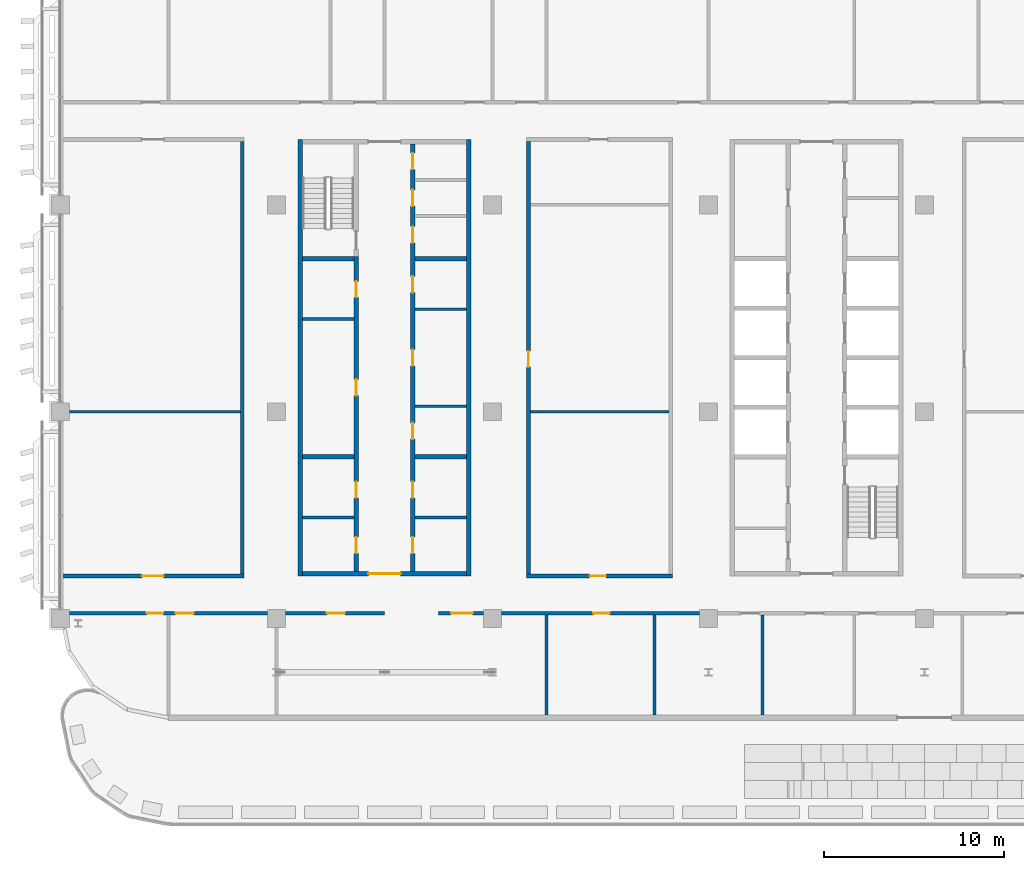
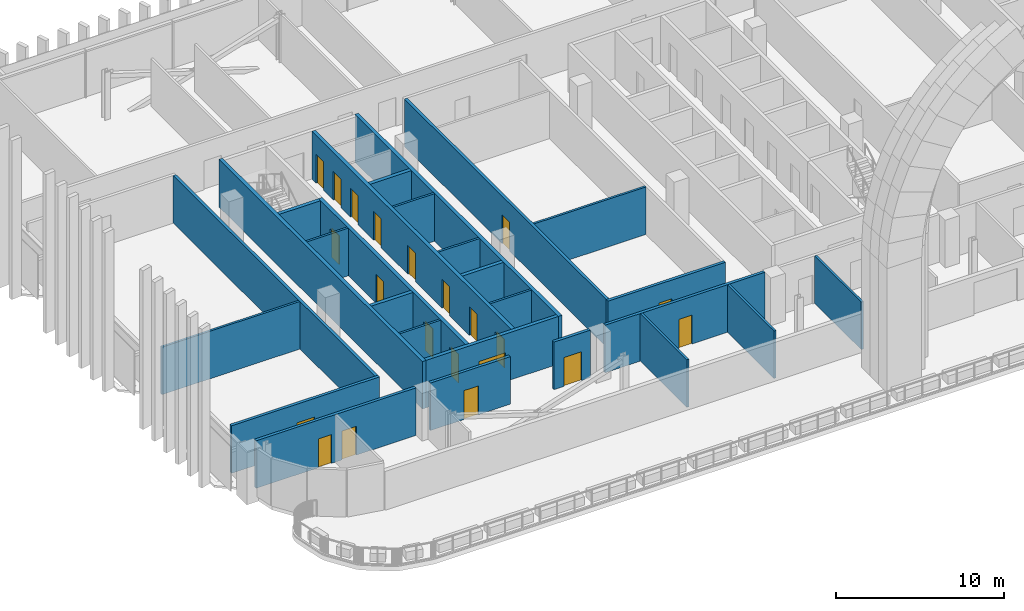
# One storey, part 9 of 30: 27 walls, 21 doors, 21 openings.
"""IFC4 building model written with IfcOpenShell, lengths in metres."""

from ifc_helpers import new_model, si_unit, direction, frame, frame_2d, origin, place, context, subcontext, project, spatial, rectangle, extrude, material, layer, layer_set, type_object, element, fill, save


model = new_model("IFC4")

# Units and contexts
model_context = context("Model", 3, precision=1e-05, world=origin(), true_north=direction((0.0, 1.0)))
body_context = subcontext(model_context, "Body", "Model", "MODEL_VIEW")
ifc_project = project(units=[si_unit("LENGTHUNIT", "METRE"), si_unit("AREAUNIT", "SQUARE_METRE"), si_unit("VOLUMEUNIT", "CUBIC_METRE"), si_unit("PLANEANGLEUNIT", "RADIAN"), si_unit("MASSUNIT", "GRAM", prefix="KILO")], contexts=[model_context])

# Site, building, storey
site_placement = place(None, origin())
site = spatial("IfcSite", under=ifc_project, at=site_placement, CompositionType="ELEMENT")
building_placement = place(site_placement, origin())
building = spatial("IfcBuilding", under=site, at=building_placement, Name="Mahtab Terrace Research Tower", CompositionType="ELEMENT")
storey_placement = place(building_placement, frame((0.0, 0.0, 228.60009765625)))
storey = spatial("IfcBuildingStorey", under=building, at=storey_placement, Name="L55", CompositionType="ELEMENT", Elevation=228.60009765625)

# Walls
ifc_material_1 = material(Name="Gypsum board partition")
ifc_layer_1 = layer(ifc_material_1, 0.14990234375)
ifc_layer_set_1 = layer_set([ifc_layer_1], Name="Core partition 150")
wall_type_1 = type_object("IfcWallType", Name="Core partition 150", PredefinedType="PARTITIONING", material=ifc_layer_set_1)
for number, where, z_axis, x_axis, name in (
    (1, (-28.550048828125, 5.14990234375, 0.0), (0.0, 0.0, 1.0), (1.0, 0.0, 0.0), "Core wall A pWL215"),
    (2, (-22.300048828125, 0.3125, 0.0), (0.0, 0.0, 1.0), (1.0, 0.0, 0.0), "Core wall A pEL-269"),
    (3, (-22.300048828125, 5.6875, 0.0), (0.0, 0.0, 1.0), (1.0, 0.0, 0.0), "Core wall A pEL269"),
    (4, (-28.550048828125, -5.875, 0.0), (0.0, 0.0, 1.0), (1.0, 0.0, 0.0), "Core wall A pWS-888"),
    (5, (-22.300048828125, -5.875, 0.0), (0.0, 0.0, 1.0), (1.0, 0.0, 0.0), "Core wall A pES-888"),
):
    element("IfcWall", number, at=place(storey_placement, frame(where, z_axis=z_axis, x_axis=x_axis)), inside=storey, type_object=wall_type_1, Name=name, PredefinedType="PARTITIONING", context=body_context, shape_type="SweptSolid", body=[
        extrude(rectangle(XDim=2.85009765625, YDim=0.14990234375, at=frame_2d((1.425048828125, 0.0))), origin(), (0.0, 0.0, 1.0), 3.4599609375),
    ])
ifc_material_2 = material(Name="Concrete C70/85", Category="concrete")
ifc_layer_2 = layer(ifc_material_2, 0.25)
ifc_layer_set_2 = layer_set([ifc_layer_2], Name="Core wall 250")
wall_type_2 = type_object("IfcWallType", Name="Core wall 250", PredefinedType="SOLIDWALL", material=ifc_layer_set_2)
for number, where, z_axis, x_axis, name in (
    (6, (-28.675048828125, 15.125, 0.0), (0.0, 0.0, 1.0), (0.0, -1.0, 0.0), "Core wall A outerW"),
    (7, (-19.324951171875, -9.125, 0.0), (0.0, 0.0, 1.0), (0.0, 1.0, 0.0), "Core wall A outerE"),
):
    element("IfcWall", number, at=place(storey_placement, frame(where, z_axis=z_axis, x_axis=x_axis)), inside=storey, type_object=wall_type_2, Name=name, PredefinedType="SOLIDWALL", context=body_context, shape_type="SweptSolid", body=[
        extrude(rectangle(XDim=24.25, YDim=0.25, at=frame_2d((12.125, 0.0))), origin(), (0.0, 0.0, 1.0), 3.4599609375),
    ])

# Wall, opening, door
wall_1_placement = place(storey_placement, frame((-19.449951171875, -9.0, 0.0), z_axis=(0.0, 0.0, 1.0), x_axis=(-1.0, 0.0, 0.0)))
wall_1 = element("IfcWall", 8, at=wall_1_placement, inside=storey, type_object=wall_type_2, Name="Core wall A endS", PredefinedType="SOLIDWALL", context=body_context, shape_type="SweptSolid", body=[
    extrude(rectangle(XDim=9.10009765625, YDim=0.25, at=frame_2d((4.550048828125, 0.0))), origin(), (0.0, 0.0, 1.0), 3.4599609375),
])
opening_1_placement = place(wall_1_placement, frame((3.64990234375, 0.0, 0.0)))
opening_1 = element("IfcOpeningElement", 9, at=opening_1_placement, cuts=wall_1, Name="Opening A-S1", PredefinedType="OPENING", context=body_context, shape_type="SweptSolid", body=[
    extrude(rectangle(XDim=1.800048828125, YDim=2.10009765625, at=frame_2d((0.89990234375, 1.050048828125))), frame((0.0, 0.135009765625, 0.0), z_axis=(0.0, -1.0, 0.0), x_axis=(1.0, 0.0, 0.0)), (0.0, 0.0, 1.0), 0.27001953125),
])
ifc_material_3 = material(Name="Steel fire door", Category="steel")
door_type_1 = type_object("IfcDoorType", Name="Lobby double door 1800x2100 1 HR", OperationType="DOUBLE_DOOR_SINGLE_SWING", PredefinedType="DOOR", material=ifc_material_3)
door_1_placement = place(opening_1_placement, origin())
door_1 = element("IfcDoor", 10, at=door_1_placement, inside=storey, type_object=door_type_1, Name="Core entrance door A S", OperationType="DOUBLE_DOOR_SINGLE_SWING", OverallHeight=2.10009765625, OverallWidth=1.800048828125, PredefinedType="DOOR", context=body_context, shape_type="SweptSolid", body=[
    extrude(rectangle(XDim=1.800048828125, YDim=2.10009765625, at=frame_2d((0.89990234375, 1.050048828125))), frame((0.0, 0.02490234375, 0.0), z_axis=(0.0, -1.0, 0.0), x_axis=(1.0, 0.0, 0.0)), (0.0, 0.0, 1.0), 0.050048828125),
])
fill(opening_1, door_1)

# Wall, openings, doors
wall_2_placement = place(storey_placement, frame((-25.574951171875, -8.875, 0.0), z_axis=(0.0, 0.0, 1.0), x_axis=(0.0, 1.0, 0.0)))
wall_2 = element("IfcWall", 11, at=wall_2_placement, inside=storey, type_object=wall_type_2, Name="Core wall A innerWSL", PredefinedType="SOLIDWALL", context=body_context, shape_type="SweptSolid", body=[
    extrude(rectangle(XDim=17.5, YDim=0.25, at=frame_2d((8.75, 0.0))), origin(), (0.0, 0.0, 1.0), 3.4599609375),
])
opening_2_placement = place(wall_2_placement, frame((9.77490234375, 0.0, 0.0)))
opening_2 = element("IfcOpeningElement", 12, at=opening_2_placement, cuts=wall_2, Name="Opening A-R1", PredefinedType="OPENING", context=body_context, shape_type="SweptSolid", body=[
    extrude(rectangle(XDim=0.89990234375, YDim=2.10009765625, at=frame_2d((0.449951171875, 1.050048828125))), frame((0.0, 0.135009765625, 0.0), z_axis=(0.0, -1.0, 0.0), x_axis=(1.0, 0.0, 0.0)), (0.0, 0.0, 1.0), 0.27001953125),
])
opening_3_placement = place(wall_2_placement, frame((15.22509765625, 0.0, 0.0)))
opening_3 = element("IfcOpeningElement", 13, at=opening_3_placement, cuts=wall_2, Name="Opening A-R2", PredefinedType="OPENING", context=body_context, shape_type="SweptSolid", body=[
    extrude(rectangle(XDim=0.89990234375, YDim=2.10009765625, at=frame_2d((0.449951171875, 1.050048828125))), frame((0.0, 0.135009765625, 0.0), z_axis=(0.0, -1.0, 0.0), x_axis=(1.0, 0.0, 0.0)), (0.0, 0.0, 1.0), 0.27001953125),
])
opening_4_placement = place(wall_2_placement, frame((1.012451171875, 0.0, 0.0)))
opening_4 = element("IfcOpeningElement", 14, at=opening_4_placement, cuts=wall_2, Name="Opening A-R6", PredefinedType="OPENING", context=body_context, shape_type="SweptSolid", body=[
    extrude(rectangle(XDim=0.89990234375, YDim=2.10009765625, at=frame_2d((0.449951171875, 1.050048828125))), frame((0.0, 0.135009765625, 0.0), z_axis=(0.0, -1.0, 0.0), x_axis=(1.0, 0.0, 0.0)), (0.0, 0.0, 1.0), 0.27001953125),
])
opening_5_placement = place(wall_2_placement, frame((4.08740234375, 0.0, 0.0)))
opening_5 = element("IfcOpeningElement", 15, at=opening_5_placement, cuts=wall_2, Name="Opening A-R7", PredefinedType="OPENING", context=body_context, shape_type="SweptSolid", body=[
    extrude(rectangle(XDim=0.89990234375, YDim=2.10009765625, at=frame_2d((0.449951171875, 1.050048828125))), frame((0.0, 0.135009765625, 0.0), z_axis=(0.0, -1.0, 0.0), x_axis=(1.0, 0.0, 0.0)), (0.0, 0.0, 1.0), 0.27001953125),
])
door_type_2 = type_object("IfcDoorType", Name="Room door 900x2100 1 HR", OperationType="NOTDEFINED", PredefinedType="DOOR", material=ifc_material_3)
door_2_placement = place(opening_2_placement, origin())
door_2 = element("IfcDoor", 16, at=door_2_placement, inside=storey, type_object=door_type_2, Name="Chemical store door", OperationType="SINGLE_SWING_LEFT", OverallHeight=2.10009765625, OverallWidth=0.89990234375, PredefinedType="DOOR", context=body_context, shape_type="SweptSolid", body=[
    extrude(rectangle(XDim=0.89990234375, YDim=2.10009765625, at=frame_2d((0.449951171875, 1.050048828125))), frame((0.0, 0.02490234375, 0.0), z_axis=(0.0, -1.0, 0.0), x_axis=(1.0, 0.0, 0.0)), (0.0, 0.0, 1.0), 0.050048828125),
])
fill(opening_2, door_2)
door_3_placement = place(opening_3_placement, origin())
door_3 = element("IfcDoor", 17, at=door_3_placement, inside=storey, type_object=door_type_2, Name="Waste room door", OperationType="SINGLE_SWING_RIGHT", OverallHeight=2.10009765625, OverallWidth=0.89990234375, PredefinedType="DOOR", context=body_context, shape_type="SweptSolid", body=[
    extrude(rectangle(XDim=0.89990234375, YDim=2.10009765625, at=frame_2d((0.449951171875, 1.050048828125))), frame((0.0, 0.02490234375, 0.0), z_axis=(0.0, -1.0, 0.0), x_axis=(1.0, 0.0, 0.0)), (0.0, 0.0, 1.0), 0.050048828125),
])
fill(opening_3, door_3)
door_4_placement = place(opening_4_placement, origin())
door_4 = element("IfcDoor", 18, at=door_4_placement, inside=storey, type_object=door_type_2, Name="Staff WC door", OperationType="SINGLE_SWING_RIGHT", OverallHeight=2.10009765625, OverallWidth=0.89990234375, PredefinedType="DOOR", context=body_context, shape_type="SweptSolid", body=[
    extrude(rectangle(XDim=0.89990234375, YDim=2.10009765625, at=frame_2d((0.449951171875, 1.050048828125))), frame((0.0, 0.02490234375, 0.0), z_axis=(0.0, -1.0, 0.0), x_axis=(1.0, 0.0, 0.0)), (0.0, 0.0, 1.0), 0.050048828125),
])
fill(opening_4, door_4)
door_5_placement = place(opening_5_placement, origin())
door_5 = element("IfcDoor", 19, at=door_5_placement, inside=storey, type_object=door_type_2, Name="Accessible WC door", OperationType="SINGLE_SWING_LEFT", OverallHeight=2.10009765625, OverallWidth=0.89990234375, PredefinedType="DOOR", context=body_context, shape_type="SweptSolid", body=[
    extrude(rectangle(XDim=0.89990234375, YDim=2.10009765625, at=frame_2d((0.449951171875, 1.050048828125))), frame((0.0, 0.02490234375, 0.0), z_axis=(0.0, -1.0, 0.0), x_axis=(1.0, 0.0, 0.0)), (0.0, 0.0, 1.0), 0.050048828125),
])
fill(opening_5, door_5)

wall_3_placement = place(storey_placement, frame((-22.425048828125, 14.875, 0.0), z_axis=(0.0, 0.0, 1.0), x_axis=(0.0, -1.0, 0.0)))
wall_3 = element("IfcWall", 20, at=wall_3_placement, inside=storey, type_object=wall_type_2, Name="Core wall A innerESLN", PredefinedType="SOLIDWALL", context=body_context, shape_type="SweptSolid", body=[
    extrude(rectangle(XDim=23.75, YDim=0.25, at=frame_2d((11.875, 0.0))), origin(), (0.0, 0.0, 1.0), 3.4599609375),
])
opening_6_placement = place(wall_3_placement, frame((15.493896484375, 0.0, 0.0)))
opening_6 = element("IfcOpeningElement", 21, at=opening_6_placement, cuts=wall_3, Name="Opening A-R3", PredefinedType="OPENING", context=body_context, shape_type="SweptSolid", body=[
    extrude(rectangle(XDim=0.89990234375, YDim=2.10009765625, at=frame_2d((0.449951171875, 1.050048828125))), frame((0.0, 0.135009765625, 0.0), z_axis=(0.0, -1.0, 0.0), x_axis=(1.0, 0.0, 0.0)), (0.0, 0.0, 1.0), 0.27001953125),
])
opening_7_placement = place(wall_3_placement, frame((11.425048828125, 0.0, 0.0)))
opening_7 = element("IfcOpeningElement", 22, at=opening_7_placement, cuts=wall_3, Name="Opening A-R4", PredefinedType="OPENING", context=body_context, shape_type="SweptSolid", body=[
    extrude(rectangle(XDim=0.89990234375, YDim=2.10009765625, at=frame_2d((0.449951171875, 1.050048828125))), frame((0.0, 0.135009765625, 0.0), z_axis=(0.0, -1.0, 0.0), x_axis=(1.0, 0.0, 0.0)), (0.0, 0.0, 1.0), 0.27001953125),
])
opening_8_placement = place(wall_3_placement, frame((7.356201171875, 0.0, 0.0)))
opening_8 = element("IfcOpeningElement", 23, at=opening_8_placement, cuts=wall_3, Name="Opening A-R5", PredefinedType="OPENING", context=body_context, shape_type="SweptSolid", body=[
    extrude(rectangle(XDim=0.89990234375, YDim=2.10009765625, at=frame_2d((0.449951171875, 1.050048828125))), frame((0.0, 0.135009765625, 0.0), z_axis=(0.0, -1.0, 0.0), x_axis=(1.0, 0.0, 0.0)), (0.0, 0.0, 1.0), 0.27001953125),
])
opening_9_placement = place(wall_3_placement, frame((21.83740234375, 0.0, 0.0)))
opening_9 = element("IfcOpeningElement", 24, at=opening_9_placement, cuts=wall_3, Name="Opening A-R8", PredefinedType="OPENING", context=body_context, shape_type="SweptSolid", body=[
    extrude(rectangle(XDim=0.89990234375, YDim=2.10009765625, at=frame_2d((0.449951171875, 1.050048828125))), frame((0.0, 0.135009765625, 0.0), z_axis=(0.0, -1.0, 0.0), x_axis=(1.0, 0.0, 0.0)), (0.0, 0.0, 1.0), 0.27001953125),
])
opening_10_placement = place(wall_3_placement, frame((18.762451171875, 0.0, 0.0)))
opening_10 = element("IfcOpeningElement", 25, at=opening_10_placement, cuts=wall_3, Name="Opening A-R9", PredefinedType="OPENING", context=body_context, shape_type="SweptSolid", body=[
    extrude(rectangle(XDim=0.89990234375, YDim=2.10009765625, at=frame_2d((0.449951171875, 1.050048828125))), frame((0.0, 0.135009765625, 0.0), z_axis=(0.0, -1.0, 0.0), x_axis=(1.0, 0.0, 0.0)), (0.0, 0.0, 1.0), 0.27001953125),
])
opening_11_placement = place(wall_3_placement, frame((4.58740234375, 0.0, 0.0)))
opening_11 = element("IfcOpeningElement", 26, at=opening_11_placement, cuts=wall_3, Name="Opening A-R10", PredefinedType="OPENING", context=body_context, shape_type="SweptSolid", body=[
    extrude(rectangle(XDim=0.89990234375, YDim=2.10009765625, at=frame_2d((0.449951171875, 1.050048828125))), frame((0.0, 0.135009765625, 0.0), z_axis=(0.0, -1.0, 0.0), x_axis=(1.0, 0.0, 0.0)), (0.0, 0.0, 1.0), 0.27001953125),
])
opening_12_placement = place(wall_3_placement, frame((2.550048828125, 0.0, 0.0)))
opening_12 = element("IfcOpeningElement", 27, at=opening_12_placement, cuts=wall_3, Name="Opening A-R11", PredefinedType="OPENING", context=body_context, shape_type="SweptSolid", body=[
    extrude(rectangle(XDim=0.89990234375, YDim=2.10009765625, at=frame_2d((0.449951171875, 1.050048828125))), frame((0.0, 0.135009765625, 0.0), z_axis=(0.0, -1.0, 0.0), x_axis=(1.0, 0.0, 0.0)), (0.0, 0.0, 1.0), 0.27001953125),
])
opening_13_placement = place(wall_3_placement, frame((0.512451171875, 0.0, 0.0)))
opening_13 = element("IfcOpeningElement", 28, at=opening_13_placement, cuts=wall_3, Name="Opening A-R12", PredefinedType="OPENING", context=body_context, shape_type="SweptSolid", body=[
    extrude(rectangle(XDim=0.89990234375, YDim=2.10009765625, at=frame_2d((0.449951171875, 1.050048828125))), frame((0.0, 0.135009765625, 0.0), z_axis=(0.0, -1.0, 0.0), x_axis=(1.0, 0.0, 0.0)), (0.0, 0.0, 1.0), 0.27001953125),
])
door_6_placement = place(opening_6_placement, origin())
door_6 = element("IfcDoor", 29, at=door_6_placement, inside=storey, type_object=door_type_2, Name="Comms room door", OperationType="SINGLE_SWING_LEFT", OverallHeight=2.10009765625, OverallWidth=0.89990234375, PredefinedType="DOOR", context=body_context, shape_type="SweptSolid", body=[
    extrude(rectangle(XDim=0.89990234375, YDim=2.10009765625, at=frame_2d((0.449951171875, 1.050048828125))), frame((0.0, 0.02490234375, 0.0), z_axis=(0.0, -1.0, 0.0), x_axis=(1.0, 0.0, 0.0)), (0.0, 0.0, 1.0), 0.050048828125),
])
fill(opening_6, door_6)
door_7_placement = place(opening_7_placement, origin())
door_7 = element("IfcDoor", 30, at=door_7_placement, inside=storey, type_object=door_type_2, Name="Meeting alcove door", OperationType="SINGLE_SWING_RIGHT", OverallHeight=2.10009765625, OverallWidth=0.89990234375, PredefinedType="DOOR", context=body_context, shape_type="SweptSolid", body=[
    extrude(rectangle(XDim=0.89990234375, YDim=2.10009765625, at=frame_2d((0.449951171875, 1.050048828125))), frame((0.0, 0.02490234375, 0.0), z_axis=(0.0, -1.0, 0.0), x_axis=(1.0, 0.0, 0.0)), (0.0, 0.0, 1.0), 0.050048828125),
])
fill(opening_7, door_7)
door_8_placement = place(opening_8_placement, origin())
door_8 = element("IfcDoor", 31, at=door_8_placement, inside=storey, type_object=door_type_2, Name="Linen store door", OperationType="SINGLE_SWING_LEFT", OverallHeight=2.10009765625, OverallWidth=0.89990234375, PredefinedType="DOOR", context=body_context, shape_type="SweptSolid", body=[
    extrude(rectangle(XDim=0.89990234375, YDim=2.10009765625, at=frame_2d((0.449951171875, 1.050048828125))), frame((0.0, 0.02490234375, 0.0), z_axis=(0.0, -1.0, 0.0), x_axis=(1.0, 0.0, 0.0)), (0.0, 0.0, 1.0), 0.050048828125),
])
fill(opening_8, door_8)
door_9_placement = place(opening_9_placement, origin())
door_9 = element("IfcDoor", 32, at=door_9_placement, inside=storey, type_object=door_type_2, Name="Housekeeping store door", OperationType="SINGLE_SWING_RIGHT", OverallHeight=2.10009765625, OverallWidth=0.89990234375, PredefinedType="DOOR", context=body_context, shape_type="SweptSolid", body=[
    extrude(rectangle(XDim=0.89990234375, YDim=2.10009765625, at=frame_2d((0.449951171875, 1.050048828125))), frame((0.0, 0.02490234375, 0.0), z_axis=(0.0, -1.0, 0.0), x_axis=(1.0, 0.0, 0.0)), (0.0, 0.0, 1.0), 0.050048828125),
])
fill(opening_9, door_9)
door_10_placement = place(opening_10_placement, origin())
door_10 = element("IfcDoor", 33, at=door_10_placement, inside=storey, type_object=door_type_2, Name="Electrical riser room door", OperationType="SINGLE_SWING_LEFT", OverallHeight=2.10009765625, OverallWidth=0.89990234375, PredefinedType="DOOR", context=body_context, shape_type="SweptSolid", body=[
    extrude(rectangle(XDim=0.89990234375, YDim=2.10009765625, at=frame_2d((0.449951171875, 1.050048828125))), frame((0.0, 0.02490234375, 0.0), z_axis=(0.0, -1.0, 0.0), x_axis=(1.0, 0.0, 0.0)), (0.0, 0.0, 1.0), 0.050048828125),
])
fill(opening_10, door_10)
door_11_placement = place(opening_11_placement, origin())
door_11 = element("IfcDoor", 34, at=door_11_placement, inside=storey, type_object=door_type_2, Name="Comms riser room door", OperationType="SINGLE_SWING_RIGHT", OverallHeight=2.10009765625, OverallWidth=0.89990234375, PredefinedType="DOOR", context=body_context, shape_type="SweptSolid", body=[
    extrude(rectangle(XDim=0.89990234375, YDim=2.10009765625, at=frame_2d((0.449951171875, 1.050048828125))), frame((0.0, 0.02490234375, 0.0), z_axis=(0.0, -1.0, 0.0), x_axis=(1.0, 0.0, 0.0)), (0.0, 0.0, 1.0), 0.050048828125),
])
fill(opening_11, door_11)
door_12_placement = place(opening_12_placement, origin())
door_12 = element("IfcDoor", 35, at=door_12_placement, inside=storey, type_object=door_type_2, Name="Pantry door", OperationType="SINGLE_SWING_LEFT", OverallHeight=2.10009765625, OverallWidth=0.89990234375, PredefinedType="DOOR", context=body_context, shape_type="SweptSolid", body=[
    extrude(rectangle(XDim=0.89990234375, YDim=2.10009765625, at=frame_2d((0.449951171875, 1.050048828125))), frame((0.0, 0.02490234375, 0.0), z_axis=(0.0, -1.0, 0.0), x_axis=(1.0, 0.0, 0.0)), (0.0, 0.0, 1.0), 0.050048828125),
])
fill(opening_12, door_12)
door_13_placement = place(opening_13_placement, origin())
door_13 = element("IfcDoor", 36, at=door_13_placement, inside=storey, type_object=door_type_2, Name="Cleaners store door", OperationType="SINGLE_SWING_RIGHT", OverallHeight=2.10009765625, OverallWidth=0.89990234375, PredefinedType="DOOR", context=body_context, shape_type="SweptSolid", body=[
    extrude(rectangle(XDim=0.89990234375, YDim=2.10009765625, at=frame_2d((0.449951171875, 1.050048828125))), frame((0.0, 0.02490234375, 0.0), z_axis=(0.0, -1.0, 0.0), x_axis=(1.0, 0.0, 0.0)), (0.0, 0.0, 1.0), 0.050048828125),
])
fill(opening_13, door_13)

# Walls
for number, where, z_axis, x_axis, name in (
    (37, (-28.550048828125, -2.5, 0.0), (0.0, 0.0, 1.0), (1.0, 0.0, 0.0), "Core wall A divW0"),
    (38, (-28.550048828125, 8.5, 0.0), (0.0, 0.0, 1.0), (1.0, 0.0, 0.0), "Core wall A divW4"),
    (39, (-22.300048828125, -2.5, 0.0), (0.0, 0.0, 1.0), (1.0, 0.0, 0.0), "Core wall A divE0"),
    (40, (-22.300048828125, 8.5, 0.0), (0.0, 0.0, 1.0), (1.0, 0.0, 0.0), "Core wall A divE4"),
):
    element("IfcWall", number, at=place(storey_placement, frame(where, z_axis=z_axis, x_axis=x_axis)), inside=storey, type_object=wall_type_2, Name=name, PredefinedType="SOLIDWALL", context=body_context, shape_type="SweptSolid", body=[
        extrude(rectangle(XDim=2.85009765625, YDim=0.25, at=frame_2d((1.425048828125, 0.0))), origin(), (0.0, 0.0, 1.0), 3.4599609375),
    ])

# Wall, openings, doors
ifc_material_4 = material(Name="Gypsum board corridor wall on steel studs", Category="steel")
ifc_layer_3 = layer(ifc_material_4, 0.199951171875)
ifc_layer_set_3 = layer_set([ifc_layer_3], Name="WALL CORRIDOR 200")
wall_type_3 = type_object("IfcWallType", Name="WALL CORRIDOR 200", PredefinedType="PARTITIONING", material=ifc_layer_set_3)
wall_4_placement = place(storey_placement, frame((-41.5, -11.199951171875, 0.0), z_axis=(0.0, 0.0, 1.0), x_axis=(1.0, 0.0, 0.0)))
wall_4 = element("IfcWall", 41, at=wall_4_placement, inside=storey, type_object=wall_type_3, Name="L55-W001", PredefinedType="PARTITIONING", context=body_context, shape_type="SweptSolid", body=[
    extrude(rectangle(XDim=11.0, YDim=0.199951171875, at=frame_2d((5.5, 0.0))), origin(), (0.0, 0.0, 1.0), 3.4599609375),
])
opening_14_placement = place(wall_4_placement, frame((4.300048828125, 0.0, 0.0)))
opening_14 = element("IfcOpeningElement", 42, at=opening_14_placement, cuts=wall_4, Name="Opening L55-101", PredefinedType="OPENING", context=body_context, shape_type="SweptSolid", body=[
    extrude(rectangle(XDim=0.89990234375, YDim=2.10009765625, at=frame_2d((0.449951171875, 1.050048828125))), frame((0.0, 0.10986328125, 0.0), z_axis=(0.0, -1.0, 0.0), x_axis=(1.0, 0.0, 0.0)), (0.0, 0.0, 1.0), 0.219970703125),
])
opening_15_placement = place(wall_4_placement, frame((5.89990234375, 0.0, 0.0)))
opening_15 = element("IfcOpeningElement", 43, at=opening_15_placement, cuts=wall_4, Name="Opening L55-102", PredefinedType="OPENING", context=body_context, shape_type="SweptSolid", body=[
    extrude(rectangle(XDim=1.0, YDim=2.10009765625, at=frame_2d((0.5, 1.050048828125))), frame((0.0, 0.10986328125, 0.0), z_axis=(0.0, -1.0, 0.0), x_axis=(1.0, 0.0, 0.0)), (0.0, 0.0, 1.0), 0.219970703125),
])
ifc_material_5 = material(Name="Timber door leaf in steel frame", Category="steel")
door_type_3 = type_object("IfcDoorType", Name="DOOR 0900X2100 FD30S", OperationType="SINGLE_SWING_LEFT", PredefinedType="DOOR", material=ifc_material_5)
door_14_placement = place(opening_14_placement, origin())
door_14 = element("IfcDoor", 44, at=door_14_placement, inside=storey, type_object=door_type_3, Name="Door L55-101", OperationType="SINGLE_SWING_RIGHT", OverallHeight=2.10009765625, OverallWidth=0.89990234375, PredefinedType="DOOR", context=body_context, shape_type="SweptSolid", body=[
    extrude(rectangle(XDim=0.89990234375, YDim=2.10009765625, at=frame_2d((0.449951171875, 1.050048828125))), frame((0.0, 0.02490234375, 0.0), z_axis=(0.0, -1.0, 0.0), x_axis=(1.0, 0.0, 0.0)), (0.0, 0.0, 1.0), 0.050048828125),
])
fill(opening_14, door_14)
door_type_4 = type_object("IfcDoorType", Name="DOOR 1000X2100 FD30S", OperationType="SINGLE_SWING_LEFT", PredefinedType="DOOR", material=ifc_material_5)
door_15_placement = place(opening_15_placement, origin())
door_15 = element("IfcDoor", 45, at=door_15_placement, inside=storey, type_object=door_type_4, Name="Door L55-102", OperationType="SINGLE_SWING_LEFT", OverallHeight=2.10009765625, OverallWidth=1.0, PredefinedType="DOOR", context=body_context, shape_type="SweptSolid", body=[
    extrude(rectangle(XDim=1.0, YDim=2.10009765625, at=frame_2d((0.5, 1.050048828125))), frame((0.0, 0.02490234375, 0.0), z_axis=(0.0, -1.0, 0.0), x_axis=(1.0, 0.0, 0.0)), (0.0, 0.0, 1.0), 0.050048828125),
])
fill(opening_15, door_15)

# Wall, opening, door
wall_5_placement = place(storey_placement, frame((-29.5, -11.199951171875, 0.0), z_axis=(0.0, 0.0, 1.0), x_axis=(1.0, 0.0, 0.0)))
wall_5 = element("IfcWall", 46, at=wall_5_placement, inside=storey, type_object=wall_type_3, Name="L55-W002", PredefinedType="PARTITIONING", context=body_context, shape_type="SweptSolid", body=[
    extrude(rectangle(XDim=5.5, YDim=0.199951171875, at=frame_2d((2.75, 0.0))), origin(), (0.0, 0.0, 1.0), 3.4599609375),
])
opening_16_placement = place(wall_5_placement, frame((2.300048828125, 0.0, 0.0)))
opening_16 = element("IfcOpeningElement", 47, at=opening_16_placement, cuts=wall_5, Name="Opening L55-103", PredefinedType="OPENING", context=body_context, shape_type="SweptSolid", body=[
    extrude(rectangle(XDim=1.0, YDim=2.10009765625, at=frame_2d((0.5, 1.050048828125))), frame((0.0, 0.10986328125, 0.0), z_axis=(0.0, -1.0, 0.0), x_axis=(1.0, 0.0, 0.0)), (0.0, 0.0, 1.0), 0.219970703125),
])
door_16_placement = place(opening_16_placement, origin())
door_16 = element("IfcDoor", 48, at=door_16_placement, inside=storey, type_object=door_type_4, Name="Door L55-103", OperationType="SINGLE_SWING_LEFT", OverallHeight=2.10009765625, OverallWidth=1.0, PredefinedType="DOOR", context=body_context, shape_type="SweptSolid", body=[
    extrude(rectangle(XDim=1.0, YDim=2.10009765625, at=frame_2d((0.5, 1.050048828125))), frame((0.0, 0.02490234375, 0.0), z_axis=(0.0, -1.0, 0.0), x_axis=(1.0, 0.0, 0.0)), (0.0, 0.0, 1.0), 0.050048828125),
])
fill(opening_16, door_16)

wall_6_placement = place(storey_placement, frame((-21.0, -11.199951171875, 0.0), z_axis=(0.0, 0.0, 1.0), x_axis=(1.0, 0.0, 0.0)))
wall_6 = element("IfcWall", 49, at=wall_6_placement, inside=storey, type_object=wall_type_3, Name="L55-W003", PredefinedType="PARTITIONING", context=body_context, shape_type="SweptSolid", body=[
    extrude(rectangle(XDim=2.5, YDim=0.199951171875, at=frame_2d((1.25, 0.0))), origin(), (0.0, 0.0, 1.0), 3.4599609375),
])
opening_17_placement = place(wall_6_placement, frame((0.699951171875, 0.0, 0.0)))
opening_17 = element("IfcOpeningElement", 50, at=opening_17_placement, cuts=wall_6, Name="Opening L55-104", PredefinedType="OPENING", context=body_context, shape_type="SweptSolid", body=[
    extrude(rectangle(XDim=1.199951171875, YDim=2.10009765625, at=frame_2d((0.60009765625, 1.050048828125))), frame((0.0, 0.10986328125, 0.0), z_axis=(0.0, -1.0, 0.0), x_axis=(1.0, 0.0, 0.0)), (0.0, 0.0, 1.0), 0.219970703125),
])
door_type_5 = type_object("IfcDoorType", Name="DOOR 1200X2100 FD30S", OperationType="SINGLE_SWING_LEFT", PredefinedType="DOOR", material=ifc_material_5)
door_17_placement = place(opening_17_placement, origin())
door_17 = element("IfcDoor", 51, at=door_17_placement, inside=storey, type_object=door_type_5, Name="Door L55-104", OperationType="SINGLE_SWING_LEFT", OverallHeight=2.10009765625, OverallWidth=1.199951171875, PredefinedType="DOOR", context=body_context, shape_type="SweptSolid", body=[
    extrude(rectangle(XDim=1.199951171875, YDim=2.10009765625, at=frame_2d((0.60009765625, 1.050048828125))), frame((0.0, 0.02490234375, 0.0), z_axis=(0.0, -1.0, 0.0), x_axis=(1.0, 0.0, 0.0)), (0.0, 0.0, 1.0), 0.050048828125),
])
fill(opening_17, door_17)

wall_7_placement = place(storey_placement, frame((-17.5, -11.199951171875, 0.0), z_axis=(0.0, 0.0, 1.0), x_axis=(1.0, 0.0, 0.0)))
wall_7 = element("IfcWall", 52, at=wall_7_placement, inside=storey, type_object=wall_type_3, Name="L55-W004", PredefinedType="PARTITIONING", context=body_context, shape_type="SweptSolid", body=[
    extrude(rectangle(XDim=11.0, YDim=0.199951171875, at=frame_2d((5.5, 0.0))), origin(), (0.0, 0.0, 1.0), 3.4599609375),
])
opening_18_placement = place(wall_7_placement, frame((5.10009765625, 0.0, 0.0)))
opening_18 = element("IfcOpeningElement", 53, at=opening_18_placement, cuts=wall_7, Name="Opening L55-105", PredefinedType="OPENING", context=body_context, shape_type="SweptSolid", body=[
    extrude(rectangle(XDim=0.89990234375, YDim=2.10009765625, at=frame_2d((0.449951171875, 1.050048828125))), frame((0.0, 0.10986328125, 0.0), z_axis=(0.0, -1.0, 0.0), x_axis=(1.0, 0.0, 0.0)), (0.0, 0.0, 1.0), 0.219970703125),
])
door_18_placement = place(opening_18_placement, origin())
door_18 = element("IfcDoor", 54, at=door_18_placement, inside=storey, type_object=door_type_3, Name="Door L55-105", OperationType="SINGLE_SWING_LEFT", OverallHeight=2.10009765625, OverallWidth=0.89990234375, PredefinedType="DOOR", context=body_context, shape_type="SweptSolid", body=[
    extrude(rectangle(XDim=0.89990234375, YDim=2.10009765625, at=frame_2d((0.449951171875, 1.050048828125))), frame((0.0, 0.02490234375, 0.0), z_axis=(0.0, -1.0, 0.0), x_axis=(1.0, 0.0, 0.0)), (0.0, 0.0, 1.0), 0.050048828125),
])
fill(opening_18, door_18)

wall_8_placement = place(storey_placement, frame((-41.97509765625, -9.125, 0.0), z_axis=(0.0, 0.0, 1.0), x_axis=(1.0, 0.0, 0.0)))
wall_8 = element("IfcWall", 55, at=wall_8_placement, inside=storey, type_object=wall_type_3, Name="L55-W010", PredefinedType="PARTITIONING", context=body_context, shape_type="SweptSolid", body=[
    extrude(rectangle(XDim=10.175048828125, YDim=0.199951171875, at=frame_2d((5.08740234375, 0.0))), origin(), (0.0, 0.0, 1.0), 3.4599609375),
])
opening_19_placement = place(wall_8_placement, frame((4.5, 0.0, 0.0)))
opening_19 = element("IfcOpeningElement", 56, at=opening_19_placement, cuts=wall_8, Name="Opening L55-118", PredefinedType="OPENING", context=body_context, shape_type="SweptSolid", body=[
    extrude(rectangle(XDim=1.199951171875, YDim=2.10009765625, at=frame_2d((0.60009765625, 1.050048828125))), frame((0.0, 0.10986328125, 0.0), z_axis=(0.0, -1.0, 0.0), x_axis=(1.0, 0.0, 0.0)), (0.0, 0.0, 1.0), 0.219970703125),
])
door_19_placement = place(opening_19_placement, origin())
door_19 = element("IfcDoor", 57, at=door_19_placement, inside=storey, type_object=door_type_5, Name="Door L55-118", OperationType="SINGLE_SWING_RIGHT", OverallHeight=2.10009765625, OverallWidth=1.199951171875, PredefinedType="DOOR", context=body_context, shape_type="SweptSolid", body=[
    extrude(rectangle(XDim=1.199951171875, YDim=2.10009765625, at=frame_2d((0.60009765625, 1.050048828125))), frame((0.0, 0.02490234375, 0.0), z_axis=(0.0, -1.0, 0.0), x_axis=(1.0, 0.0, 0.0)), (0.0, 0.0, 1.0), 0.050048828125),
])
fill(opening_19, door_19)

wall_9_placement = place(storey_placement, frame((-16.10009765625, -9.125, 0.0), z_axis=(0.0, 0.0, 1.0), x_axis=(1.0, 0.0, 0.0)))
wall_9 = element("IfcWall", 58, at=wall_9_placement, inside=storey, type_object=wall_type_3, Name="L55-W011", PredefinedType="PARTITIONING", context=body_context, shape_type="SweptSolid", body=[
    extrude(rectangle(XDim=8.10009765625, YDim=0.199951171875, at=frame_2d((4.050048828125, 0.0))), origin(), (0.0, 0.0, 1.0), 3.4599609375),
])
opening_20_placement = place(wall_9_placement, frame((3.5, 0.0, 0.0)))
opening_20 = element("IfcOpeningElement", 59, at=opening_20_placement, cuts=wall_9, Name="Opening L55-119", PredefinedType="OPENING", context=body_context, shape_type="SweptSolid", body=[
    extrude(rectangle(XDim=0.89990234375, YDim=2.10009765625, at=frame_2d((0.449951171875, 1.050048828125))), frame((0.0, 0.10986328125, 0.0), z_axis=(0.0, -1.0, 0.0), x_axis=(1.0, 0.0, 0.0)), (0.0, 0.0, 1.0), 0.219970703125),
])
door_20_placement = place(opening_20_placement, origin())
door_20 = element("IfcDoor", 60, at=door_20_placement, inside=storey, type_object=door_type_3, Name="Door L55-119", OperationType="SINGLE_SWING_LEFT", OverallHeight=2.10009765625, OverallWidth=0.89990234375, PredefinedType="DOOR", context=body_context, shape_type="SweptSolid", body=[
    extrude(rectangle(XDim=0.89990234375, YDim=2.10009765625, at=frame_2d((0.449951171875, 1.050048828125))), frame((0.0, 0.02490234375, 0.0), z_axis=(0.0, -1.0, 0.0), x_axis=(1.0, 0.0, 0.0)), (0.0, 0.0, 1.0), 0.050048828125),
])
fill(opening_20, door_20)

# Wall
wall_10_placement = place(storey_placement, frame((-31.89990234375, -9.02490234375, 0.0), z_axis=(0.0, 0.0, 1.0), x_axis=(0.0, 1.0, 0.0)))
element("IfcWall", 61, at=wall_10_placement, inside=storey, type_object=wall_type_3, Name="L55-W029", PredefinedType="PARTITIONING", context=body_context, shape_type="SweptSolid", body=[
    extrude(rectangle(XDim=24.0498046875, YDim=0.199951171875, at=frame_2d((12.02490234375, 0.0))), origin(), (0.0, 0.0, 1.0), 3.4599609375),
])

# Wall, opening, door
wall_11_placement = place(storey_placement, frame((-16.0, -9.02490234375, 0.0), z_axis=(0.0, 0.0, 1.0), x_axis=(0.0, 1.0, 0.0)))
wall_11 = element("IfcWall", 62, at=wall_11_placement, inside=storey, type_object=wall_type_3, Name="L55-W034", PredefinedType="PARTITIONING", context=body_context, shape_type="SweptSolid", body=[
    extrude(rectangle(XDim=24.0498046875, YDim=0.199951171875, at=frame_2d((12.02490234375, 0.0))), origin(), (0.0, 0.0, 1.0), 3.4599609375),
])
opening_21_placement = place(wall_11_placement, frame((11.5, 0.0, 0.0)))
opening_21 = element("IfcOpeningElement", 63, at=opening_21_placement, cuts=wall_11, Name="Opening L55-122", PredefinedType="OPENING", context=body_context, shape_type="SweptSolid", body=[
    extrude(rectangle(XDim=0.89990234375, YDim=2.10009765625, at=frame_2d((0.449951171875, 1.050048828125))), frame((0.0, 0.10986328125, 0.0), z_axis=(0.0, -1.0, 0.0), x_axis=(1.0, 0.0, 0.0)), (0.0, 0.0, 1.0), 0.219970703125),
])
door_21_placement = place(opening_21_placement, origin())
door_21 = element("IfcDoor", 64, at=door_21_placement, inside=storey, type_object=door_type_3, Name="Door L55-122", OperationType="SINGLE_SWING_RIGHT", OverallHeight=2.10009765625, OverallWidth=0.89990234375, PredefinedType="DOOR", context=body_context, shape_type="SweptSolid", body=[
    extrude(rectangle(XDim=0.89990234375, YDim=2.10009765625, at=frame_2d((0.449951171875, 1.050048828125))), frame((0.0, 0.02490234375, 0.0), z_axis=(0.0, -1.0, 0.0), x_axis=(1.0, 0.0, 0.0)), (0.0, 0.0, 1.0), 0.050048828125),
])
fill(opening_21, door_21)

# Walls
ifc_material_6 = material(Name="Gypsum board partition on steel studs", Category="steel")
ifc_layer_4 = layer(ifc_material_6, 0.14990234375)
ifc_layer_set_4 = layer_set([ifc_layer_4], Name="WALL PARTITION 150")
wall_type_4 = type_object("IfcWallType", Name="WALL PARTITION 150", PredefinedType="PARTITIONING", material=ifc_layer_set_4)
wall_12_placement = place(storey_placement, frame((-41.5, 0.0, 0.0), z_axis=(0.0, 0.0, 1.0), x_axis=(1.0, 0.0, 0.0)))
element("IfcWall", 65, at=wall_12_placement, inside=storey, type_object=wall_type_4, Name="L55-W014", PredefinedType="PARTITIONING", context=body_context, shape_type="SweptSolid", body=[
    extrude(rectangle(XDim=9.5, YDim=0.14990234375, at=frame_2d((4.75, 0.0))), origin(), (0.0, 0.0, 1.0), 3.4599609375),
])
wall_13_placement = place(storey_placement, frame((-15.89990234375, 0.0, 0.0), z_axis=(0.0, 0.0, 1.0), x_axis=(1.0, 0.0, 0.0)))
element("IfcWall", 66, at=wall_13_placement, inside=storey, type_object=wall_type_4, Name="L55-W015", PredefinedType="PARTITIONING", context=body_context, shape_type="SweptSolid", body=[
    extrude(rectangle(XDim=7.699951171875, YDim=0.14990234375, at=frame_2d((3.85009765625, 0.0))), origin(), (0.0, 0.0, 1.0), 3.4599609375),
])
for number, where, z_axis, x_axis, name in (
    (67, (-15.0, -16.85009765625, 0.0), (0.0, 0.0, 1.0), (0.0, 1.0, 0.0), "L55-W035"),
    (68, (-9.0, -16.85009765625, 0.0), (0.0, 0.0, 1.0), (0.0, 1.0, 0.0), "L55-W037"),
    (69, (-3.0, -16.85009765625, 0.0), (0.0, 0.0, 1.0), (0.0, 1.0, 0.0), "L55-W040"),
):
    element("IfcWall", number, at=place(storey_placement, frame(where, z_axis=z_axis, x_axis=x_axis)), inside=storey, type_object=wall_type_4, Name=name, PredefinedType="PARTITIONING", context=body_context, shape_type="SweptSolid", body=[
        extrude(rectangle(XDim=5.550048828125, YDim=0.14990234375, at=frame_2d((2.77490234375, 0.0))), origin(), (0.0, 0.0, 1.0), 3.4599609375),
    ])

save(model, "model.ifc")
